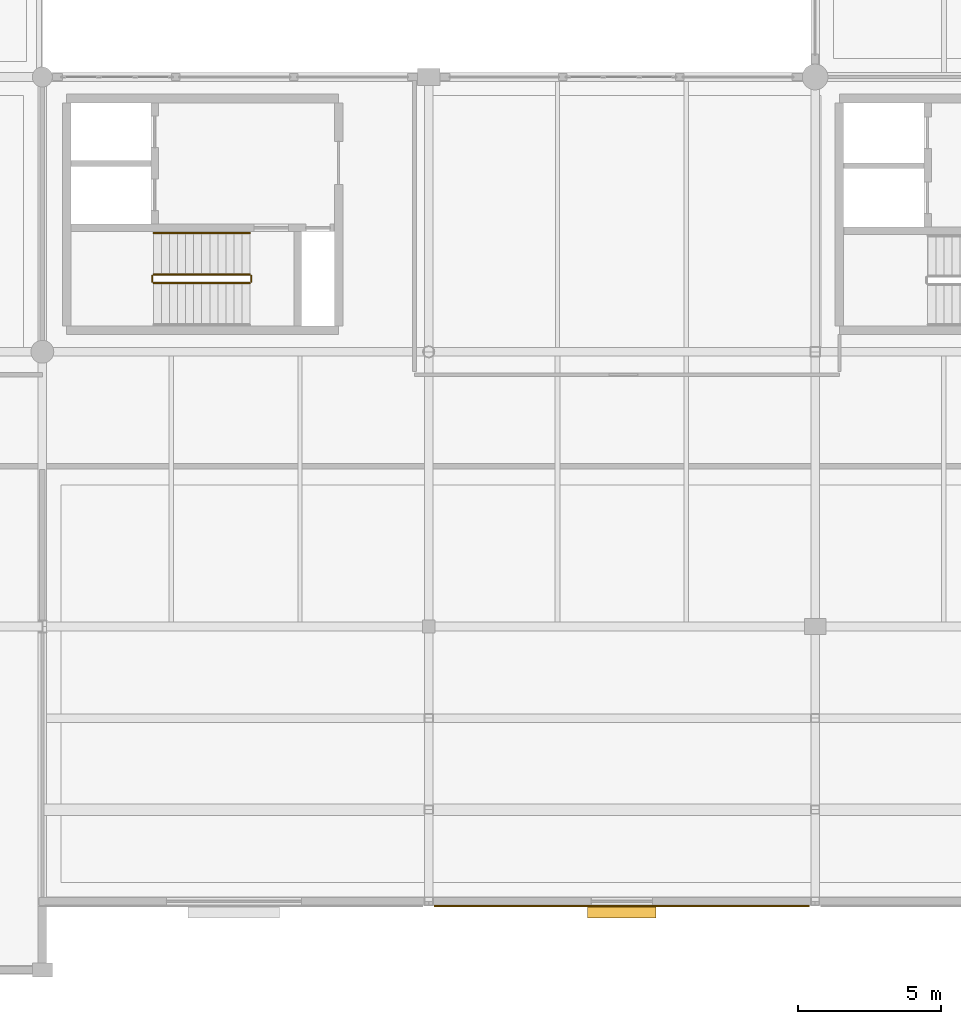
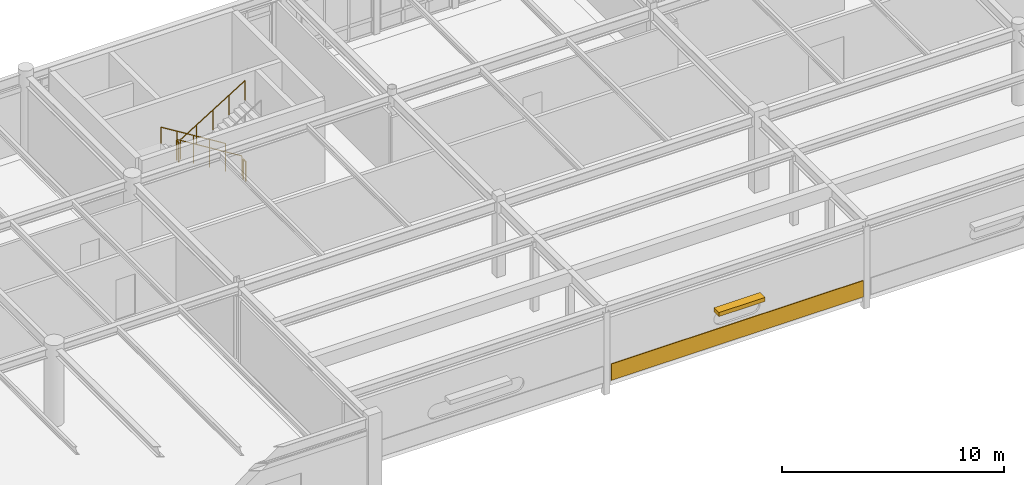
# One storey, part 54 of 61: 5 railings, 1 covering, 1 shading device.
"""IFC4 building model written with IfcOpenShell, lengths in metres."""

from ifc_helpers import new_model, si_unit, direction, frame, origin, origin_2d, place, context, subcontext, project, spatial, rectangle, circle, extrude, material, layer, layer_set, type_object, element, save


model = new_model("IFC4")

# Units and contexts
model_context = context("Model", 3, precision=1e-05, world=origin(), true_north=direction((0.0, 1.0)))
body_context = subcontext(model_context, "Body", "Model", "MODEL_VIEW")
ifc_project = project(units=[si_unit("LENGTHUNIT", "METRE"), si_unit("AREAUNIT", "SQUARE_METRE"), si_unit("VOLUMEUNIT", "CUBIC_METRE"), si_unit("PLANEANGLEUNIT", "RADIAN"), si_unit("MASSUNIT", "GRAM", prefix="KILO")], contexts=[model_context])

# Site, building, storey
site_placement = place(None, origin())
site = spatial("IfcSite", under=ifc_project, at=site_placement, CompositionType="ELEMENT")
building_placement = place(site_placement, origin())
building = spatial("IfcBuilding", under=site, at=building_placement, Name="Fikremerkos Civic Library", CompositionType="ELEMENT")
storey_placement = place(building_placement, frame((0.0, 0.0, 14.39990234375)))
storey = spatial("IfcBuildingStorey", under=building, at=storey_placement, Name="L03", CompositionType="ELEMENT", Elevation=14.39990234375)

# Shading device
ifc_material_1 = material(Name="Bronze anodized aluminium", Category="aluminium")
shading_device_type = type_object("IfcShadingDeviceType", Name="Horizontal sun-control louvre bank SHD-01", PredefinedType="JALOUSIE", material=ifc_material_1)
shading_device_placement = place(storey_placement, frame((39.449951171875, 2.0400390625, 1.919921875), z_axis=(0.0, 0.0, 1.0), x_axis=(1.0, 0.0, 0.0)))
element("IfcShadingDevice", 1, at=shading_device_placement, inside=storey, type_object=shading_device_type, Name="Sun-control louvre hood SHD-01 L03 #60", PredefinedType="JALOUSIE", context=body_context, shape_type="SweptSolid", body=[
    extrude(rectangle(XDim=2.39990234375, YDim=0.449951171875, at=origin_2d()), origin(), (0.0, 0.0, 1.0), 0.219970703125),
])

# Railings
ifc_material_2 = material(Name="Painted Steel S275", Category="steel")
railing_type_1 = type_object("IfcRailingType", Name="Interior balustrade guard RLG-INT 1100", PredefinedType="BALUSTRADE", material=ifc_material_2)
railing_1_placement = place(storey_placement, frame((26.449951171875, 24.300048828125, 0.173095703125)))
element("IfcRailing", 2, at=railing_1_placement, inside=storey, type_object=railing_type_1, Name="L03 ST-K1 stair guard 1", PredefinedType="BALUSTRADE", context=body_context, shape_type="SweptSolid", body=[
    extrude(circle(Radius=0.02392578125, at=origin_2d()), frame((0.0, 0.0, 1.076171875), z_axis=(-0.850606129759, 0.0, 0.525803396734), x_axis=(0.0, -1.0, 0.0)), (0.0, 0.0, 1.0), 3.949951171875),
    extrude(circle(Radius=0.02099609375, at=origin_2d()), origin(), (0.0, 0.0, 1.0), 1.052001953125),
    extrude(circle(Radius=0.02099609375, at=origin_2d()), frame((-0.83984375, 0.0, 0.519287109375)), (0.0, 0.0, 1.0), 1.052001953125),
    extrude(circle(Radius=0.02099609375, at=origin_2d()), frame((-1.679931640625, 0.0, 1.03857421875)), (0.0, 0.0, 1.0), 1.052001953125),
    extrude(circle(Radius=0.02099609375, at=origin_2d()), frame((-2.52001953125, 0.0, 1.5576171875)), (0.0, 0.0, 1.0), 1.052001953125),
    extrude(circle(Radius=0.02099609375, at=origin_2d()), frame((-3.35986328125, 0.0, 2.076904296875)), (0.0, 0.0, 1.0), 1.052001953125),
])
railing_2_placement = place(storey_placement, frame((23.0400390625, 24.25, 2.25)))
element("IfcRailing", 3, at=railing_2_placement, inside=storey, type_object=railing_type_1, Name="L03 ST-K1 stair guard 2", PredefinedType="BALUSTRADE", context=body_context, shape_type="SweptSolid", body=[
    extrude(circle(Radius=0.02392578125, at=origin_2d()), frame((0.0, 0.0, 1.076171875), z_axis=(0.0, -1.0, 0.0), x_axis=(1.0, 0.0, 0.0)), (0.0, 0.0, 1.0), 0.199951171875),
    extrude(circle(Radius=0.02099609375, at=origin_2d()), origin(), (0.0, 0.0, 1.0), 1.052001953125),
    extrude(circle(Radius=0.02099609375, at=origin_2d()), frame((0.0, -0.199951171875, 0.0)), (0.0, 0.0, 1.0), 1.052001953125),
])
railing_3_placement = place(storey_placement, frame((23.090087890625, 24.0, 2.423095703125)))
element("IfcRailing", 4, at=railing_3_placement, inside=storey, type_object=railing_type_1, Name="L03 ST-K1 stair guard 3", PredefinedType="BALUSTRADE", context=body_context, shape_type="SweptSolid", body=[
    extrude(circle(Radius=0.02392578125, at=origin_2d()), frame((0.0, 0.0, 1.076171875), z_axis=(0.850606129759, 0.0, 0.525803396734), x_axis=(0.0, 1.0, 0.0)), (0.0, 0.0, 1.0), 3.949951171875),
    extrude(circle(Radius=0.02099609375, at=origin_2d()), origin(), (0.0, 0.0, 1.0), 1.052001953125),
    extrude(circle(Radius=0.02099609375, at=origin_2d()), frame((0.83984375, 0.0, 0.519287109375)), (0.0, 0.0, 1.0), 1.052001953125),
    extrude(circle(Radius=0.02099609375, at=origin_2d()), frame((1.679931640625, 0.0, 1.03857421875)), (0.0, 0.0, 1.0), 1.052001953125),
    extrude(circle(Radius=0.02099609375, at=origin_2d()), frame((2.52001953125, 0.0, 1.5576171875)), (0.0, 0.0, 1.0), 1.052001953125),
    extrude(circle(Radius=0.02099609375, at=origin_2d()), frame((3.35986328125, 0.0, 2.076904296875)), (0.0, 0.0, 1.0), 1.052001953125),
])
railing_4_placement = place(storey_placement, frame((26.5, 24.25, 0.0)))
element("IfcRailing", 5, at=railing_4_placement, inside=storey, type_object=railing_type_1, Name="L03 ST-K1 stair guard 4", PredefinedType="BALUSTRADE", context=body_context, shape_type="SweptSolid", body=[
    extrude(circle(Radius=0.02392578125, at=origin_2d()), frame((0.0, 0.0, 1.076171875), z_axis=(0.0, -1.0, 0.0), x_axis=(1.0, 0.0, 0.0)), (0.0, 0.0, 1.0), 0.199951171875),
    extrude(circle(Radius=0.02099609375, at=origin_2d()), origin(), (0.0, 0.0, 1.0), 1.052001953125),
    extrude(circle(Radius=0.02099609375, at=origin_2d()), frame((0.0, -0.199951171875, 0.0)), (0.0, 0.0, 1.0), 1.052001953125),
])

# Covering
ifc_material_3 = material(Name="Precast concrete C40/50", Category="concrete")
ifc_layer = layer(ifc_material_3, 0.044921875, Name="Precast concrete C40/50")
ifc_layer_set = layer_set([ifc_layer], Name="Precast concrete C40/50")
covering_type = type_object("IfcCoveringType", Name="Precast basalt facade cladding CLD-01", PredefinedType="CLADDING", material=ifc_layer_set)
covering_placement = place(storey_placement, frame((39.449951171875, 2.238037109375, 0.050048828125), z_axis=(0.0, 0.0, 1.0), x_axis=(1.0, 0.0, 0.0)))
element("IfcCovering", 6, at=covering_placement, inside=storey, type_object=covering_type, Name="Basalt spandrel cladding CLD-01 L03 #20", PredefinedType="CLADDING", context=body_context, shape_type="SweptSolid", body=[
    extrude(rectangle(XDim=13.095947265625, YDim=0.044921875, at=origin_2d()), origin(), (0.0, 0.0, 1.0), 0.89990234375),
])

# Railing
ifc_material_4 = material(Name="Brushed stainless steel", Category="steel")
railing_type_2 = type_object("IfcRailingType", Name="Wall and flight handrail HRL-01 900", PredefinedType="HANDRAIL", material=ifc_material_4)
railing_5_placement = place(storey_placement, frame((26.449951171875, 25.75, 0.173095703125)))
element("IfcRailing", 7, at=railing_5_placement, inside=storey, type_object=railing_type_2, Name="L03 ST-K1 stair handrail 1", PredefinedType="HANDRAIL", context=body_context, shape_type="SweptSolid", body=[
    extrude(circle(Radius=0.02392578125, at=origin_2d()), frame((0.0, 0.0, 0.8759765625), z_axis=(-0.850606129759, 0.0, 0.525803396734), x_axis=(0.0, -1.0, 0.0)), (0.0, 0.0, 1.0), 3.949951171875),
    extrude(circle(Radius=0.02099609375, at=origin_2d()), origin(), (0.0, 0.0, 1.0), 0.851806640625),
    extrude(circle(Radius=0.02099609375, at=origin_2d()), frame((-0.83984375, 0.0, 0.519287109375)), (0.0, 0.0, 1.0), 0.851806640625),
    extrude(circle(Radius=0.02099609375, at=origin_2d()), frame((-1.679931640625, 0.0, 1.03857421875)), (0.0, 0.0, 1.0), 0.851806640625),
    extrude(circle(Radius=0.02099609375, at=origin_2d()), frame((-2.52001953125, 0.0, 1.5576171875)), (0.0, 0.0, 1.0), 0.851806640625),
    extrude(circle(Radius=0.02099609375, at=origin_2d()), frame((-3.35986328125, 0.0, 2.076904296875)), (0.0, 0.0, 1.0), 0.851806640625),
])

save(model, "model.ifc")
